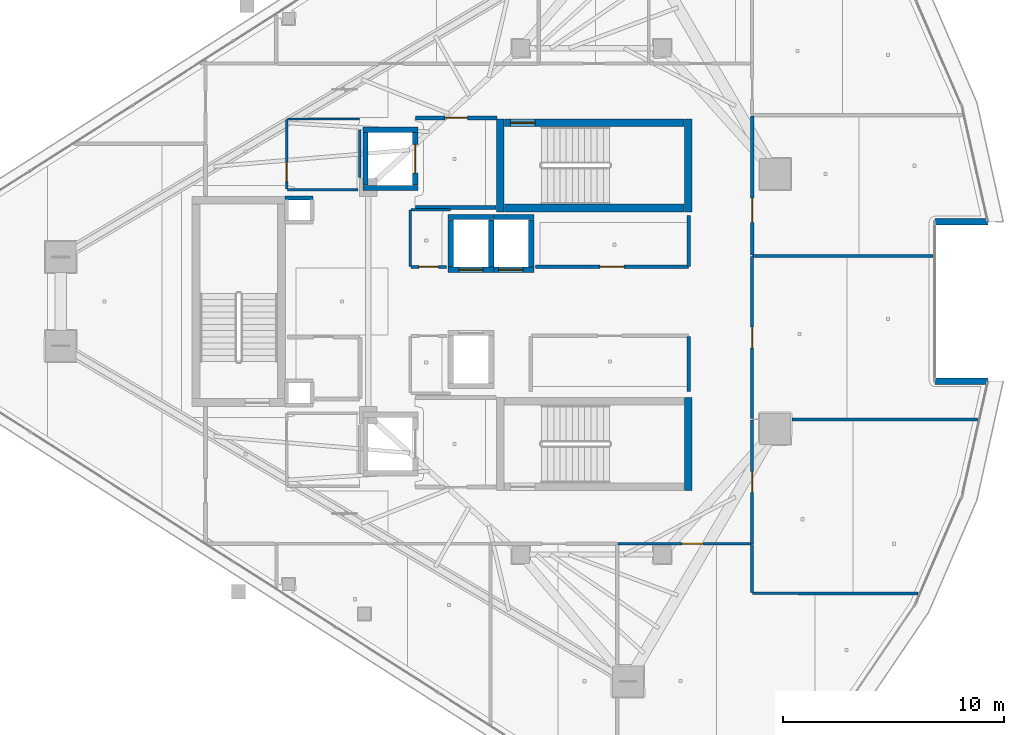
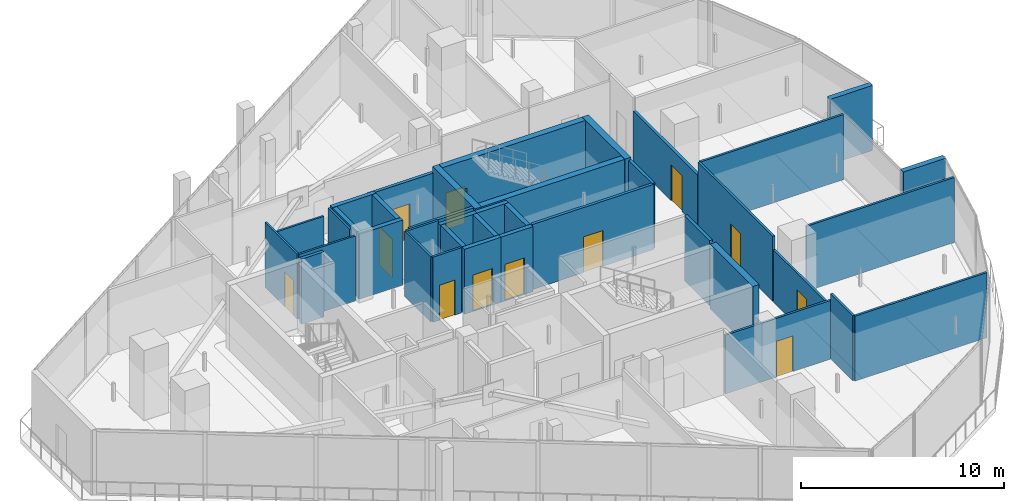
# One storey, part 22 of 30: 39 walls, 12 doors, 12 openings.
"""IFC4 building model written with IfcOpenShell, lengths in metres."""

from ifc_helpers import new_model, si_unit, direction, frame, frame_2d, origin, place, context, subcontext, project, spatial, rectangle, extrude, material, layer, layer_set, type_object, element, fill, save


model = new_model("IFC4")

# Units and contexts
model_context = context("Model", 3, precision=1e-05, world=origin(), true_north=direction((0.0, 1.0)))
body_context = subcontext(model_context, "Body", "Model", "MODEL_VIEW")
ifc_project = project(units=[si_unit("LENGTHUNIT", "METRE"), si_unit("AREAUNIT", "SQUARE_METRE"), si_unit("VOLUMEUNIT", "CUBIC_METRE"), si_unit("PLANEANGLEUNIT", "RADIAN"), si_unit("MASSUNIT", "GRAM", prefix="KILO")], contexts=[model_context])

# Site, building, storey
site_placement = place(None, origin())
site = spatial("IfcSite", under=ifc_project, at=site_placement, CompositionType="ELEMENT")
building_placement = place(site_placement, origin())
building = spatial("IfcBuilding", under=site, at=building_placement, Name="Qorvath Tower", CompositionType="ELEMENT")
storey_placement = place(building_placement, frame((0.0, 0.0, 289.199951171875)))
storey = spatial("IfcBuildingStorey", under=building, at=storey_placement, Name="L67", CompositionType="ELEMENT", Elevation=289.199951171875)

# Walls
ifc_material_1 = material(Name="Gypsum shaftliner on steel studs", Category="steel")
ifc_layer_1 = layer(ifc_material_1, 0.179931640625)
ifc_layer_set_1 = layer_set([ifc_layer_1], Name="FW-LOBBY")
wall_type_1 = type_object("IfcWallType", Name="FW-LOBBY", PredefinedType="PARTITIONING", material=ifc_layer_set_1)
wall_1_placement = place(storey_placement, frame((-34.260009765625, 4.675048828125, 0.0), z_axis=(0.0, 0.0, 1.0), x_axis=(1.0, 0.0, 0.0)))
element("IfcWall", 1, at=wall_1_placement, inside=storey, type_object=wall_type_1, Name="MEP Riser Shaft Enclosure Wall N-L67-N", PredefinedType="PARTITIONING", context=body_context, shape_type="SweptSolid", body=[
    extrude(rectangle(XDim=1.27001953125, YDim=0.179931640625, at=frame_2d((0.635009765625, 0.0))), origin(), (0.0, 0.0, 1.0), 3.91015625),
])
wall_2_placement = place(storey_placement, frame((-28.35498046875, 4.25, 0.0), z_axis=(0.0, 0.0, 1.0), x_axis=(1.0, 0.0, 0.0)))
element("IfcWall", 2, at=wall_2_placement, inside=storey, type_object=wall_type_1, Name="Interior Partition IW-T1-L67-001", PredefinedType="PARTITIONING", context=body_context, shape_type="SweptSolid", body=[
    extrude(rectangle(XDim=3.6220703125, YDim=0.179931640625, at=frame_2d((1.81103515625, 0.0))), origin(), (0.0, 0.0, 1.0), 3.91015625),
])

# Wall, opening, door
wall_3_placement = place(storey_placement, frame((-24.68408203125, 8.300048828125, 0.0), z_axis=(0.0, 0.0, 1.0), x_axis=(-1.0, 0.0, 0.0)))
wall_3 = element("IfcWall", 3, at=wall_3_placement, inside=storey, type_object=wall_type_1, Name="Interior Partition IW-T1-L67-002", PredefinedType="PARTITIONING", context=body_context, shape_type="SweptSolid", body=[
    extrude(rectangle(XDim=3.6708984375, YDim=0.179931640625, at=frame_2d((1.83544921875, 0.0))), origin(), (0.0, 0.0, 1.0), 3.529052734375),
])
opening_1_placement = place(wall_3_placement, frame((1.33544921875, 0.0, 0.0)))
opening_1 = element("IfcOpeningElement", 4, at=opening_1_placement, cuts=wall_3, Name="Opening D-T1-L67-20", PredefinedType="OPENING", context=body_context, shape_type="SweptSolid", body=[
    extrude(rectangle(XDim=1.0, YDim=2.14990234375, at=frame_2d((0.5, 1.074951171875))), frame((0.0, 0.10009765625, 0.0), z_axis=(0.0, -1.0, 0.0), x_axis=(1.0, 0.0, 0.0)), (0.0, 0.0, 1.0), 0.199951171875),
])
ifc_material_2 = material(Name="Painted galvanised hollow metal", Category="steel")
door_type_1 = type_object("IfcDoorType", Name="FD-60", OperationType="NOTDEFINED", PredefinedType="DOOR", material=ifc_material_2)
door_1_placement = place(opening_1_placement, origin())
door_1 = element("IfcDoor", 5, at=door_1_placement, inside=storey, type_object=door_type_1, Name="Lobby Fire Service Elevator North Door D-T1-L67-20", OperationType="SINGLE_SWING_RIGHT", OverallHeight=2.14990234375, OverallWidth=1.0, PredefinedType="DOOR", context=body_context, shape_type="SweptSolid", body=[
    extrude(rectangle(XDim=1.0, YDim=2.14990234375, at=frame_2d((0.5, 1.074951171875))), frame((0.0, 0.02490234375, 0.0), z_axis=(0.0, -1.0, 0.0), x_axis=(1.0, 0.0, 0.0)), (0.0, 0.0, 1.0), 0.050048828125),
])
fill(opening_1, door_1)

ifc_material_3 = material(Name="Double acoustic gypsum board on steel studs", Category="steel")
ifc_layer_2 = layer(ifc_material_3, 0.159912109375)
ifc_layer_set_2 = layer_set([ifc_layer_2], Name="IW-ACOUSTIC-160")
wall_type_2 = type_object("IfcWallType", Name="IW-ACOUSTIC-160", PredefinedType="PARTITIONING", material=ifc_layer_set_2)
wall_4_placement = place(storey_placement, frame((-22.933837890625, 1.56005859375, 0.0), z_axis=(0.0, 0.0, 1.0), x_axis=(1.0, 0.0, 0.0)))
wall_4 = element("IfcWall", 6, at=wall_4_placement, inside=storey, type_object=wall_type_2, Name="Interior Partition IW-T1-L67-013", PredefinedType="PARTITIONING", context=body_context, shape_type="SweptSolid", body=[
    extrude(rectangle(XDim=6.908935546875, YDim=0.159912109375, at=frame_2d((3.45458984375, 0.0))), origin(), (0.0, 0.0, 1.0), 3.91015625),
])
opening_2_placement = place(wall_4_placement, frame((2.904541015625, 0.0, 0.0)))
opening_2 = element("IfcOpeningElement", 7, at=opening_2_placement, cuts=wall_4, Name="Opening D-T1-L67-03", PredefinedType="OPENING", context=body_context, shape_type="SweptSolid", body=[
    extrude(rectangle(XDim=1.10009765625, YDim=2.14990234375, at=frame_2d((0.550048828125, 1.074951171875))), frame((0.0, 0.08984375, 0.0), z_axis=(0.0, -1.0, 0.0), x_axis=(1.0, 0.0, 0.0)), (0.0, 0.0, 1.0), 0.179931640625),
])
ifc_material_4 = material(Name="Anodised aluminium acoustic framed glass", Category="aluminium")
door_type_2 = type_object("IfcDoorType", Name="D-03", OperationType="NOTDEFINED", PredefinedType="DOOR", material=ifc_material_4)
door_2_placement = place(opening_2_placement, origin())
door_2 = element("IfcDoor", 8, at=door_2_placement, inside=storey, type_object=door_type_2, Name="L67-RCN North Executive Support Office Door D-T1-L67-03", OperationType="SINGLE_SWING_LEFT", OverallHeight=2.14990234375, OverallWidth=1.10009765625, PredefinedType="DOOR", context=body_context, shape_type="SweptSolid", body=[
    extrude(rectangle(XDim=1.10009765625, YDim=2.14990234375, at=frame_2d((0.550048828125, 1.074951171875))), frame((0.0, 0.02490234375, 0.0), z_axis=(0.0, -1.0, 0.0), x_axis=(1.0, 0.0, 0.0)), (0.0, 0.0, 1.0), 0.050048828125),
])
fill(opening_2, door_2)

# Walls
wall_5_placement = place(storey_placement, frame((-16.0, 1.585205078125, 0.0), z_axis=(0.0, 0.0, 1.0), x_axis=(0.0, 1.0, 0.0)))
element("IfcWall", 9, at=wall_5_placement, inside=storey, type_object=wall_type_2, Name="Interior Partition IW-T1-L67-014", PredefinedType="PARTITIONING", context=body_context, shape_type="SweptSolid", body=[
    extrude(rectangle(XDim=2.30224609375, YDim=0.159912109375, at=frame_2d((1.151123046875, 0.0))), origin(), (0.0, 0.0, 1.0), 3.91015625),
])
wall_6_placement = place(storey_placement, frame((-16.0, -4.0751953125, 0.0), z_axis=(0.0, 0.0, 1.0), x_axis=(0.0, 1.0, 0.0)))
element("IfcWall", 10, at=wall_6_placement, inside=storey, type_object=wall_type_2, Name="Interior Partition IW-T1-L67-016", PredefinedType="PARTITIONING", context=body_context, shape_type="SweptSolid", body=[
    extrude(rectangle(XDim=2.489990234375, YDim=0.159912109375, at=frame_2d((1.2451171875, 0.0))), origin(), (0.0, 0.0, 1.0), 3.91015625),
])

# Wall, opening, door
wall_7_placement = place(storey_placement, frame((-13.14208984375, 8.39306640625, 0.0), z_axis=(0.0, 0.0, 1.0), x_axis=(0.0, -1.0, 0.0)))
wall_7 = element("IfcWall", 11, at=wall_7_placement, inside=storey, type_object=wall_type_2, Name="Interior Partition IW-T1-L67-049", PredefinedType="PARTITIONING", context=body_context, shape_type="SweptSolid", body=[
    extrude(rectangle(XDim=6.303955078125, YDim=0.159912109375, at=frame_2d((3.15185546875, 0.0))), origin(), (0.0, 0.0, 1.0), 3.130126953125),
])
opening_3_placement = place(wall_7_placement, frame((3.717041015625, 0.0, 0.0)))
opening_3 = element("IfcOpeningElement", 12, at=opening_3_placement, cuts=wall_7, Name="Opening D-T1-L67-16", PredefinedType="OPENING", context=body_context, shape_type="SweptSolid", body=[
    extrude(rectangle(XDim=1.10009765625, YDim=2.14990234375, at=frame_2d((0.550048828125, 1.074951171875))), frame((0.0, 0.08984375, 0.0), z_axis=(0.0, -1.0, 0.0), x_axis=(1.0, 0.0, 0.0)), (0.0, 0.0, 1.0), 0.179931640625),
])
door_3_placement = place(opening_3_placement, origin())
door_3 = element("IfcDoor", 13, at=door_3_placement, inside=storey, type_object=door_type_2, Name="L67-09 Enclosed Conference Suite Door D-T1-L67-16", OperationType="SINGLE_SWING_RIGHT", OverallHeight=2.14990234375, OverallWidth=1.10009765625, PredefinedType="DOOR", context=body_context, shape_type="SweptSolid", body=[
    extrude(rectangle(XDim=1.10009765625, YDim=2.14990234375, at=frame_2d((0.550048828125, 1.074951171875))), frame((0.0, 0.02490234375, 0.0), z_axis=(0.0, -1.0, 0.0), x_axis=(1.0, 0.0, 0.0)), (0.0, 0.0, 1.0), 0.050048828125),
])
fill(opening_3, door_3)

# Wall
ifc_material_5 = material(Name="Gypsum board on metal studs with mineral wool", Category="gypsum")
ifc_layer_3 = layer(ifc_material_5, 0.125)
ifc_layer_set_3 = layer_set([ifc_layer_3], Name="IW-PART-125")
wall_type_3 = type_object("IfcWallType", Name="IW-PART-125", PredefinedType="PARTITIONING", material=ifc_layer_set_3)
wall_8_placement = place(storey_placement, frame((-28.60009765625, 4.125, 0.0), z_axis=(0.0, 0.0, 1.0), x_axis=(0.0, -1.0, 0.0)))
element("IfcWall", 14, at=wall_8_placement, inside=storey, type_object=wall_type_3, Name="Interior Partition IW-T1-L67-018", PredefinedType="PARTITIONING", context=body_context, shape_type="SweptSolid", body=[
    extrude(rectangle(XDim=2.539794921875, YDim=0.125, at=frame_2d((1.27001953125, 0.0))), origin(), (0.0, 0.0, 1.0), 3.91015625),
])

# Wall, opening, door
wall_9_placement = place(storey_placement, frame((-28.5751953125, 1.56005859375, 0.0), z_axis=(0.0, 0.0, 1.0), x_axis=(1.0, 0.0, 0.0)))
wall_9 = element("IfcWall", 15, at=wall_9_placement, inside=storey, type_object=wall_type_3, Name="Interior Partition IW-T1-L67-019", PredefinedType="PARTITIONING", context=body_context, shape_type="SweptSolid", body=[
    extrude(rectangle(XDim=1.609130859375, YDim=0.125, at=frame_2d((0.8046875, 0.0))), origin(), (0.0, 0.0, 1.0), 3.91015625),
])
opening_4_placement = place(wall_9_placement, frame((0.364501953125, 0.0, 0.0)))
opening_4 = element("IfcOpeningElement", 16, at=opening_4_placement, cuts=wall_9, Name="Opening D-T1-L67-05", PredefinedType="OPENING", context=body_context, shape_type="SweptSolid", body=[
    extrude(rectangle(XDim=0.8798828125, YDim=2.10009765625, at=frame_2d((0.43994140625, 1.050048828125))), frame((0.0, 0.072509765625, 0.0), z_axis=(0.0, -1.0, 0.0), x_axis=(1.0, 0.0, 0.0)), (0.0, 0.0, 1.0), 0.14501953125),
])
ifc_material_6 = material(Name="Solid-core oak with acoustic drop seal", Category="wood")
door_type_3 = type_object("IfcDoorType", Name="D-02", OperationType="NOTDEFINED", PredefinedType="DOOR", material=ifc_material_6)
door_4_placement = place(opening_4_placement, origin())
door_4 = element("IfcDoor", 17, at=door_4_placement, inside=storey, type_object=door_type_3, Name="L67-RCWN Executive Archive Suite Door D-T1-L67-05", OperationType="SINGLE_SWING_LEFT", OverallHeight=2.10009765625, OverallWidth=0.8798828125, PredefinedType="DOOR", context=body_context, shape_type="SweptSolid", body=[
    extrude(rectangle(XDim=0.8798828125, YDim=2.10009765625, at=frame_2d((0.43994140625, 1.050048828125))), frame((0.0, 0.02490234375, 0.0), z_axis=(0.0, -1.0, 0.0), x_axis=(1.0, 0.0, 0.0)), (0.0, 0.0, 1.0), 0.050048828125),
])
fill(opening_4, door_4)

# Walls
wall_10_placement = place(storey_placement, frame((-26.77490234375, 4.14990234375, 0.0), z_axis=(0.0, 0.0, 1.0), x_axis=(-1.0, 0.0, 0.0)))
element("IfcWall", 18, at=wall_10_placement, inside=storey, type_object=wall_type_3, Name="Interior Partition IW-T1-L67-020", PredefinedType="PARTITIONING", context=body_context, shape_type="SweptSolid", body=[
    extrude(rectangle(XDim=1.80029296875, YDim=0.125, at=frame_2d((0.900146484375, 0.0))), origin(), (0.0, 0.0, 1.0), 3.91015625),
])
wall_11_placement = place(storey_placement, frame((-5.635498046875, -13.2099609375, 0.0), z_axis=(0.0, 0.0, 1.0), x_axis=(-0.999998507566, 0.001727676139, 0.0)))
element("IfcWall", 19, at=wall_11_placement, inside=storey, type_object=wall_type_3, Name="Interior Partition IW-T1-L67-041", PredefinedType="PARTITIONING", context=body_context, shape_type="SweptSolid", body=[
    extrude(rectangle(XDim=7.489501953125, YDim=0.125, at=frame_2d((3.74462890625, 0.0))), origin(), (0.0, 0.0, 1.0), 3.91015625),
])
wall_12_placement = place(storey_placement, frame((-13.14990234375, -13.172119140625, 0.0), z_axis=(0.0, 0.0, 1.0), x_axis=(0.0, 1.0, 0.0)))
element("IfcWall", 20, at=wall_12_placement, inside=storey, type_object=wall_type_3, Name="Interior Partition IW-T1-L67-042", PredefinedType="PARTITIONING", context=body_context, shape_type="SweptSolid", body=[
    extrude(rectangle(XDim=2.189208984375, YDim=0.125, at=frame_2d((1.0947265625, 0.0))), origin(), (0.0, 0.0, 1.0), 3.91015625),
])

# Wall, opening, door
wall_13_placement = place(storey_placement, frame((-13.1748046875, -10.9580078125, 0.0), z_axis=(0.0, 0.0, 1.0), x_axis=(-1.0, 0.0, 0.0)))
wall_13 = element("IfcWall", 21, at=wall_13_placement, inside=storey, type_object=wall_type_3, Name="Interior Partition IW-T1-L67-043", PredefinedType="PARTITIONING", context=body_context, shape_type="SweptSolid", body=[
    extrude(rectangle(XDim=6.02490234375, YDim=0.125, at=frame_2d((3.012451171875, 0.0))), origin(), (0.0, 0.0, 1.0), 3.529052734375),
])
opening_5_placement = place(wall_13_placement, frame((2.175048828125, 0.0, 0.0)))
opening_5 = element("IfcOpeningElement", 22, at=opening_5_placement, cuts=wall_13, Name="Opening D-T1-L67-13", PredefinedType="OPENING", context=body_context, shape_type="SweptSolid", body=[
    extrude(rectangle(XDim=0.949951171875, YDim=2.14990234375, at=frame_2d((0.47509765625, 1.074951171875))), frame((0.0, 0.072509765625, 0.0), z_axis=(0.0, -1.0, 0.0), x_axis=(1.0, 0.0, 0.0)), (0.0, 0.0, 1.0), 0.14501953125),
])
ifc_material_7 = material(Name="Solid-core American white oak veneer", Category="wood")
door_type_4 = type_object("IfcDoorType", Name="D-01", OperationType="NOTDEFINED", PredefinedType="DOOR", material=ifc_material_7)
door_5_placement = place(opening_5_placement, origin())
door_5 = element("IfcDoor", 23, at=door_5_placement, inside=storey, type_object=door_type_4, Name="L67-06 Quantitative Research Studio Door D-T1-L67-13", OperationType="SINGLE_SWING_LEFT", OverallHeight=2.14990234375, OverallWidth=0.949951171875, PredefinedType="DOOR", context=body_context, shape_type="SweptSolid", body=[
    extrude(rectangle(XDim=0.949951171875, YDim=2.14990234375, at=frame_2d((0.47509765625, 1.074951171875))), frame((0.0, 0.02490234375, 0.0), z_axis=(0.0, -1.0, 0.0), x_axis=(1.0, 0.0, 0.0)), (0.0, 0.0, 1.0), 0.050048828125),
])
fill(opening_5, door_5)

# Wall
wall_14_placement = place(storey_placement, frame((-2.947021484375, -5.333984375, 0.0), z_axis=(0.0, 0.0, 1.0), x_axis=(-1.0, 0.0, 0.0)))
element("IfcWall", 24, at=wall_14_placement, inside=storey, type_object=wall_type_3, Name="Interior Partition IW-T1-L67-044", PredefinedType="PARTITIONING", context=body_context, shape_type="SweptSolid", body=[
    extrude(rectangle(XDim=8.384765625, YDim=0.125, at=frame_2d((4.1923828125, 0.0))), origin(), (0.0, 0.0, 1.0), 3.91015625),
])

# Wall, opening, door
wall_15_placement = place(storey_placement, frame((-13.14208984375, -5.35888671875, 0.0), z_axis=(0.0, 0.0, 1.0), x_axis=(0.0, -1.0, 0.0)))
wall_15 = element("IfcWall", 25, at=wall_15_placement, inside=storey, type_object=wall_type_3, Name="Interior Partition IW-T1-L67-045", PredefinedType="PARTITIONING", context=body_context, shape_type="SweptSolid", body=[
    extrude(rectangle(XDim=5.59912109375, YDim=0.125, at=frame_2d((2.799560546875, 0.0))), origin(), (0.0, 0.0, 1.0), 3.130126953125),
])
opening_6_placement = place(wall_15_placement, frame((2.324462890625, 0.0, 0.0)))
opening_6 = element("IfcOpeningElement", 26, at=opening_6_placement, cuts=wall_15, Name="Opening D-T1-L67-14", PredefinedType="OPENING", context=body_context, shape_type="SweptSolid", body=[
    extrude(rectangle(XDim=0.949951171875, YDim=2.14990234375, at=frame_2d((0.47509765625, 1.074951171875))), frame((0.0, 0.072509765625, 0.0), z_axis=(0.0, -1.0, 0.0), x_axis=(1.0, 0.0, 0.0)), (0.0, 0.0, 1.0), 0.14501953125),
])
door_6_placement = place(opening_6_placement, origin())
door_6 = element("IfcDoor", 27, at=door_6_placement, inside=storey, type_object=door_type_4, Name="L67-07 Engineering Documentation Suite Door D-T1-L67-14", OperationType="SINGLE_SWING_RIGHT", OverallHeight=2.14990234375, OverallWidth=0.949951171875, PredefinedType="DOOR", context=body_context, shape_type="SweptSolid", body=[
    extrude(rectangle(XDim=0.949951171875, YDim=2.14990234375, at=frame_2d((0.47509765625, 1.074951171875))), frame((0.0, 0.02490234375, 0.0), z_axis=(0.0, -1.0, 0.0), x_axis=(1.0, 0.0, 0.0)), (0.0, 0.0, 1.0), 0.050048828125),
])
fill(opening_6, door_6)

# Wall
wall_16_placement = place(storey_placement, frame((-4.958984375, 2.055908203125, 0.0), z_axis=(0.0, 0.0, 1.0), x_axis=(-1.0, 0.0, 0.0)))
element("IfcWall", 28, at=wall_16_placement, inside=storey, type_object=wall_type_3, Name="Interior Partition IW-T1-L67-046", PredefinedType="PARTITIONING", context=body_context, shape_type="SweptSolid", body=[
    extrude(rectangle(XDim=8.158203125, YDim=0.125, at=frame_2d((4.0791015625, 0.0))), origin(), (0.0, 0.0, 1.0), 3.91015625),
])

# Wall, opening, door
wall_17_placement = place(storey_placement, frame((-13.14208984375, 2.031005859375, 0.0), z_axis=(0.0, 0.0, 1.0), x_axis=(0.0, -1.0, 0.0)))
wall_17 = element("IfcWall", 29, at=wall_17_placement, inside=storey, type_object=wall_type_3, Name="Interior Partition IW-T1-L67-047", PredefinedType="PARTITIONING", context=body_context, shape_type="SweptSolid", body=[
    extrude(rectangle(XDim=7.332275390625, YDim=0.125, at=frame_2d((3.666015625, 0.0))), origin(), (0.0, 0.0, 1.0), 3.91015625),
])
opening_7_placement = place(wall_17_placement, frame((3.191162109375, 0.0, 0.0)))
opening_7 = element("IfcOpeningElement", 30, at=opening_7_placement, cuts=wall_17, Name="Opening D-T1-L67-15", PredefinedType="OPENING", context=body_context, shape_type="SweptSolid", body=[
    extrude(rectangle(XDim=0.949951171875, YDim=2.14990234375, at=frame_2d((0.47509765625, 1.074951171875))), frame((0.0, 0.072509765625, 0.0), z_axis=(0.0, -1.0, 0.0), x_axis=(1.0, 0.0, 0.0)), (0.0, 0.0, 1.0), 0.14501953125),
])
door_7_placement = place(opening_7_placement, origin())
door_7 = element("IfcDoor", 31, at=door_7_placement, inside=storey, type_object=door_type_4, Name="L67-08 Open Workplace Studio Door D-T1-L67-15", OperationType="SINGLE_SWING_LEFT", OverallHeight=2.14990234375, OverallWidth=0.949951171875, PredefinedType="DOOR", context=body_context, shape_type="SweptSolid", body=[
    extrude(rectangle(XDim=0.949951171875, YDim=2.14990234375, at=frame_2d((0.47509765625, 1.074951171875))), frame((0.0, 0.02490234375, 0.0), z_axis=(0.0, -1.0, 0.0), x_axis=(1.0, 0.0, 0.0)), (0.0, 0.0, 1.0), 0.050048828125),
])
fill(opening_7, door_7)

ifc_material_8 = material(Name="Moisture-resistant cement board on metal studs", Category="gypsum")
ifc_layer_4 = layer(ifc_material_8, 0.110107421875)
ifc_layer_set_4 = layer_set([ifc_layer_4], Name="IW-WC-110")
wall_type_4 = type_object("IfcWallType", Name="IW-WC-110", PredefinedType="PARTITIONING", material=ifc_layer_set_4)
wall_18_placement = place(storey_placement, frame((-34.179931640625, 8.22509765625, 0.0), z_axis=(0.0, 0.0, 1.0), x_axis=(0.0, -1.0, 0.0)))
wall_18 = element("IfcWall", 32, at=wall_18_placement, inside=storey, type_object=wall_type_4, Name="Interior Partition IW-T1-L67-005", PredefinedType="PARTITIONING", context=body_context, shape_type="SweptSolid", body=[
    extrude(rectangle(XDim=3.150146484375, YDim=0.110107421875, at=frame_2d((1.5751953125, 0.0))), origin(), (0.0, 0.0, 1.0), 3.91015625),
])
opening_8_placement = place(wall_18_placement, frame((1.93017578125, 0.0, 0.0)))
opening_8 = element("IfcOpeningElement", 33, at=opening_8_placement, cuts=wall_18, Name="Opening D-T1-L67-01", PredefinedType="OPENING", context=body_context, shape_type="SweptSolid", body=[
    extrude(rectangle(XDim=0.8798828125, YDim=2.10009765625, at=frame_2d((0.43994140625, 1.050048828125))), frame((0.0, 0.06494140625, 0.0), z_axis=(0.0, -1.0, 0.0), x_axis=(1.0, 0.0, 0.0)), (0.0, 0.0, 1.0), 0.130126953125),
])
door_8_placement = place(opening_8_placement, origin())
door_8 = element("IfcDoor", 34, at=door_8_placement, inside=storey, type_object=door_type_3, Name="Accessible WC North L67 Door D-T1-L67-01", OperationType="SINGLE_SWING_LEFT", OverallHeight=2.10009765625, OverallWidth=0.8798828125, PredefinedType="DOOR", context=body_context, shape_type="SweptSolid", body=[
    extrude(rectangle(XDim=0.8798828125, YDim=2.10009765625, at=frame_2d((0.43994140625, 1.050048828125))), frame((0.0, 0.02490234375, 0.0), z_axis=(0.0, -1.0, 0.0), x_axis=(1.0, 0.0, 0.0)), (0.0, 0.0, 1.0), 0.050048828125),
])
fill(opening_8, door_8)

# Walls
wall_19_placement = place(storey_placement, frame((-34.15478515625, 5.050048828125, 0.0), z_axis=(0.0, 0.0, 1.0), x_axis=(1.0, 0.0, 0.0)))
element("IfcWall", 35, at=wall_19_placement, inside=storey, type_object=wall_type_4, Name="Interior Partition IW-T1-L67-006", PredefinedType="PARTITIONING", context=body_context, shape_type="SweptSolid", body=[
    extrude(rectangle(XDim=3.189697265625, YDim=0.110107421875, at=frame_2d((1.5947265625, 0.0))), origin(), (0.0, 0.0, 1.0), 3.91015625),
])
wall_20_placement = place(storey_placement, frame((-30.8798828125, 5.614990234375, 0.0), z_axis=(0.0, 0.0, 1.0), x_axis=(0.0, 1.0, 0.0)))
element("IfcWall", 36, at=wall_20_placement, inside=storey, type_object=wall_type_4, Name="Interior Partition IW-T1-L67-007", PredefinedType="PARTITIONING", context=body_context, shape_type="SweptSolid", body=[
    extrude(rectangle(XDim=2.1279296875, YDim=0.110107421875, at=frame_2d((1.06396484375, 0.0))), origin(), (0.0, 0.0, 1.0), 3.91015625),
])
wall_21_placement = place(storey_placement, frame((-30.90478515625, 8.25, 0.0), z_axis=(0.0, 0.0, 1.0), x_axis=(-1.0, 0.0, 0.0)))
element("IfcWall", 37, at=wall_21_placement, inside=storey, type_object=wall_type_4, Name="Interior Partition IW-T1-L67-008", PredefinedType="PARTITIONING", context=body_context, shape_type="SweptSolid", body=[
    extrude(rectangle(XDim=3.25, YDim=0.110107421875, at=frame_2d((1.625, 0.0))), origin(), (0.0, 0.0, 1.0), 3.130126953125),
])
ifc_material_9 = material(Name="Concrete C60/75", Category="concrete")
ifc_layer_5 = layer(ifc_material_9, 0.260009765625)
ifc_layer_set_5 = layer_set([ifc_layer_5], Name="SW-SHAFT")
wall_type_5 = type_object("IfcWallType", Name="SW-SHAFT", PredefinedType="SHEAR", material=ifc_layer_set_5)
for number, where, z_axis, x_axis, name in (
    (38, (-28.260009765625, 5.1298828125, 0.0), (0.0, 0.0, 1.0), (-1.0, 0.0, 0.0), "Hoistway Wall FSAE-1 L67 S"),
    (39, (-30.739990234375, 7.77001953125, 0.0), (0.0, 0.0, 1.0), (1.0, 0.0, 0.0), "Hoistway Wall FSAE-1 L67 N"),
):
    element("IfcWall", number, at=place(storey_placement, frame(where, z_axis=z_axis, x_axis=x_axis)), inside=storey, type_object=wall_type_5, Name=name, PredefinedType="SHEAR", context=body_context, shape_type="SweptSolid", body=[
        extrude(rectangle(XDim=2.47998046875, YDim=0.239990234375, at=frame_2d((1.239990234375, 0.0))), origin(), (0.0, 0.0, 1.0), 3.91015625),
    ])
wall_22_placement = place(storey_placement, frame((-30.6201171875, 5.261962890625, 0.0), z_axis=(0.0, 0.0, 1.0), x_axis=(0.0, 1.0, 0.0)))
element("IfcWall", 40, at=wall_22_placement, inside=storey, type_object=wall_type_5, Name="Hoistway Wall FSAE-1 L67 W", PredefinedType="SHEAR", context=body_context, shape_type="SweptSolid", body=[
    extrude(rectangle(XDim=2.3759765625, YDim=0.239990234375, at=frame_2d((1.18798828125, 0.0))), origin(), (0.0, 0.0, 1.0), 3.91015625),
])

# Wall, opening, door
wall_23_placement = place(storey_placement, frame((-28.3798828125, 7.637939453125, 0.0), z_axis=(0.0, 0.0, 1.0), x_axis=(0.0, -1.0, 0.0)))
wall_23 = element("IfcWall", 41, at=wall_23_placement, inside=storey, type_object=wall_type_5, Name="Hoistway Wall FSAE-1 L67 E", PredefinedType="SHEAR", context=body_context, shape_type="SweptSolid", body=[
    extrude(rectangle(XDim=2.3759765625, YDim=0.239990234375, at=frame_2d((1.18798828125, 0.0))), origin(), (0.0, 0.0, 1.0), 3.91015625),
])
opening_9_placement = place(wall_23_placement, frame((0.537841796875, 0.0, 0.0)))
opening_9 = element("IfcOpeningElement", 42, at=opening_9_placement, cuts=wall_23, Name="Opening LD-FSAE-1-L67", PredefinedType="OPENING", context=body_context, shape_type="SweptSolid", body=[
    extrude(rectangle(XDim=1.300048828125, YDim=2.300048828125, at=frame_2d((0.64990234375, 1.14990234375))), frame((0.0, 0.1298828125, 0.0), z_axis=(0.0, -1.0, 0.0), x_axis=(1.0, 0.0, 0.0)), (0.0, 0.0, 1.0), 0.260009765625),
])
ifc_material_10 = material(Name="Brushed stainless steel AISI 316", Category="steel")
door_type_5 = type_object("IfcDoorType", Name="LD-02", OperationType="NOTDEFINED", PredefinedType="DOOR", material=ifc_material_10)
door_9_placement = place(opening_9_placement, origin())
door_9 = element("IfcDoor", 43, at=door_9_placement, inside=storey, type_object=door_type_5, Name="Elevator Landing Sliding Door LD-FSAE-1-L67", OperationType="DOUBLE_DOOR_SLIDING", OverallHeight=2.300048828125, OverallWidth=1.300048828125, PredefinedType="DOOR", context=body_context, shape_type="SweptSolid", body=[
    extrude(rectangle(XDim=1.300048828125, YDim=2.300048828125, at=frame_2d((0.64990234375, 1.14990234375))), frame((0.0, 0.02490234375, 0.0), z_axis=(0.0, -1.0, 0.0), x_axis=(1.0, 0.0, 0.0)), (0.0, 0.0, 1.0), 0.050048828125),
])
fill(opening_9, door_9)

wall_24_placement = place(storey_placement, frame((-24.81005859375, 1.429931640625, 0.0), z_axis=(0.0, 0.0, 1.0), x_axis=(-1.0, 0.0, 0.0)))
wall_24 = element("IfcWall", 44, at=wall_24_placement, inside=storey, type_object=wall_type_5, Name="Hoistway Wall PH-1 L67 S", PredefinedType="SHEAR", context=body_context, shape_type="SweptSolid", body=[
    extrude(rectangle(XDim=2.079833984375, YDim=0.239990234375, at=frame_2d((1.0400390625, 0.0))), origin(), (0.0, 0.0, 1.0), 3.91015625),
])
opening_10_placement = place(wall_24_placement, frame((0.489990234375, 0.0, 0.0)))
opening_10 = element("IfcOpeningElement", 45, at=opening_10_placement, cuts=wall_24, Name="Opening LD-PH-1-L67", PredefinedType="OPENING", context=body_context, shape_type="SweptSolid", body=[
    extrude(rectangle(XDim=1.10009765625, YDim=2.199951171875, at=frame_2d((0.550048828125, 1.10009765625))), frame((0.0, 0.1298828125, 0.0), z_axis=(0.0, -1.0, 0.0), x_axis=(1.0, 0.0, 0.0)), (0.0, 0.0, 1.0), 0.260009765625),
])
ifc_material_11 = material(Name="Brushed stainless steel AISI 316", Category="steel")
door_type_6 = type_object("IfcDoorType", Name="LD-01", OperationType="NOTDEFINED", PredefinedType="DOOR", material=ifc_material_11)
door_10_placement = place(opening_10_placement, origin())
door_10 = element("IfcDoor", 46, at=door_10_placement, inside=storey, type_object=door_type_6, Name="Elevator Landing Sliding Door LD-PH-1-L67", OperationType="DOUBLE_DOOR_SLIDING", OverallHeight=2.199951171875, OverallWidth=1.10009765625, PredefinedType="DOOR", context=body_context, shape_type="SweptSolid", body=[
    extrude(rectangle(XDim=1.10009765625, YDim=2.199951171875, at=frame_2d((0.550048828125, 1.10009765625))), frame((0.0, 0.02490234375, 0.0), z_axis=(0.0, -1.0, 0.0), x_axis=(1.0, 0.0, 0.0)), (0.0, 0.0, 1.0), 0.050048828125),
])
fill(opening_10, door_10)

# Walls
wall_25_placement = place(storey_placement, frame((-26.889892578125, 3.820068359375, 0.0), z_axis=(0.0, 0.0, 1.0), x_axis=(1.0, 0.0, 0.0)))
element("IfcWall", 47, at=wall_25_placement, inside=storey, type_object=wall_type_5, Name="Hoistway Wall PH-1 L67 N", PredefinedType="SHEAR", context=body_context, shape_type="SweptSolid", body=[
    extrude(rectangle(XDim=2.079833984375, YDim=0.239990234375, at=frame_2d((1.0400390625, 0.0))), origin(), (0.0, 0.0, 1.0), 3.91015625),
])
for number, where, z_axis, x_axis, name in (
    (48, (-26.77001953125, 1.56201171875, 0.0), (0.0, 0.0, 1.0), (0.0, 1.0, 0.0), "Hoistway Wall PH-1 L67 W"),
    (49, (-24.929931640625, 3.68798828125, 0.0), (0.0, 0.0, 1.0), (0.0, -1.0, 0.0), "Hoistway Wall PH-1 L67 E"),
):
    element("IfcWall", number, at=place(storey_placement, frame(where, z_axis=z_axis, x_axis=x_axis)), inside=storey, type_object=wall_type_5, Name=name, PredefinedType="SHEAR", context=body_context, shape_type="SweptSolid", body=[
        extrude(rectangle(XDim=2.1259765625, YDim=0.239990234375, at=frame_2d((1.06298828125, 0.0))), origin(), (0.0, 0.0, 1.0), 3.91015625),
    ])

# Wall, opening, door
wall_26_placement = place(storey_placement, frame((-23.010009765625, 1.429931640625, 0.0), z_axis=(0.0, 0.0, 1.0), x_axis=(-1.0, 0.0, 0.0)))
wall_26 = element("IfcWall", 50, at=wall_26_placement, inside=storey, type_object=wall_type_5, Name="Hoistway Wall PH-2 L67 S", PredefinedType="SHEAR", context=body_context, shape_type="SweptSolid", body=[
    extrude(rectangle(XDim=1.800048828125, YDim=0.239990234375, at=frame_2d((0.89990234375, 0.0))), origin(), (0.0, 0.0, 1.0), 3.91015625),
])
opening_11_placement = place(wall_26_placement, frame((0.489990234375, 0.0, 0.0)))
opening_11 = element("IfcOpeningElement", 51, at=opening_11_placement, cuts=wall_26, Name="Opening LD-PH-2-L67", PredefinedType="OPENING", context=body_context, shape_type="SweptSolid", body=[
    extrude(rectangle(XDim=1.10009765625, YDim=2.199951171875, at=frame_2d((0.550048828125, 1.10009765625))), frame((0.0, 0.1298828125, 0.0), z_axis=(0.0, -1.0, 0.0), x_axis=(1.0, 0.0, 0.0)), (0.0, 0.0, 1.0), 0.260009765625),
])
door_11_placement = place(opening_11_placement, origin())
door_11 = element("IfcDoor", 52, at=door_11_placement, inside=storey, type_object=door_type_6, Name="Elevator Landing Sliding Door LD-PH-2-L67", OperationType="DOUBLE_DOOR_SLIDING", OverallHeight=2.199951171875, OverallWidth=1.10009765625, PredefinedType="DOOR", context=body_context, shape_type="SweptSolid", body=[
    extrude(rectangle(XDim=1.10009765625, YDim=2.199951171875, at=frame_2d((0.550048828125, 1.10009765625))), frame((0.0, 0.02490234375, 0.0), z_axis=(0.0, -1.0, 0.0), x_axis=(1.0, 0.0, 0.0)), (0.0, 0.0, 1.0), 0.050048828125),
])
fill(opening_11, door_11)

# Walls
wall_27_placement = place(storey_placement, frame((-24.81005859375, 3.820068359375, 0.0), z_axis=(0.0, 0.0, 1.0), x_axis=(1.0, 0.0, 0.0)))
element("IfcWall", 53, at=wall_27_placement, inside=storey, type_object=wall_type_5, Name="Hoistway Wall PH-2 L67 N", PredefinedType="SHEAR", context=body_context, shape_type="SweptSolid", body=[
    extrude(rectangle(XDim=1.800048828125, YDim=0.239990234375, at=frame_2d((0.89990234375, 0.0))), origin(), (0.0, 0.0, 1.0), 3.91015625),
])
wall_28_placement = place(storey_placement, frame((-23.1298828125, 3.68798828125, 0.0), z_axis=(0.0, 0.0, 1.0), x_axis=(0.0, -1.0, 0.0)))
element("IfcWall", 54, at=wall_28_placement, inside=storey, type_object=wall_type_5, Name="Hoistway Wall PH-2 L67 E", PredefinedType="SHEAR", context=body_context, shape_type="SweptSolid", body=[
    extrude(rectangle(XDim=2.1259765625, YDim=0.239990234375, at=frame_2d((1.06298828125, 0.0))), origin(), (0.0, 0.0, 1.0), 3.91015625),
])
ifc_material_12 = material(Name="Concrete C60/75", Category="concrete")
ifc_layer_6 = layer(ifc_material_12, 0.35009765625)
ifc_layer_set_6 = layer_set([ifc_layer_6], Name="SW-STAIR")
wall_type_6 = type_object("IfcWallType", Name="SW-STAIR", PredefinedType="SHEAR", material=ifc_layer_set_6)
for number, where, z_axis, x_axis, name in (
    (55, (-24.52490234375, 8.260009765625, 0.0), (0.0, 0.0, 1.0), (0.0, -1.0, 0.0), "Stair TS1 Shear Wall L67 NEAR"),
    (56, (-16.02490234375, 4.050048828125, 0.0), (0.0, 0.0, 1.0), (0.0, 1.0, 0.0), "Stair TS1 Shear Wall L67 FAR"),
):
    element("IfcWall", number, at=place(storey_placement, frame(where, z_axis=z_axis, x_axis=x_axis)), inside=storey, type_object=wall_type_6, Name=name, PredefinedType="SHEAR", context=body_context, shape_type="SweptSolid", body=[
        extrude(rectangle(XDim=4.2099609375, YDim=0.35009765625, at=frame_2d((2.10498046875, 0.0))), origin(), (0.0, 0.0, 1.0), 3.91015625),
    ])
wall_29_placement = place(storey_placement, frame((-24.3349609375, 4.22509765625, 0.0), z_axis=(0.0, 0.0, 1.0), x_axis=(1.0, 0.0, 0.0)))
element("IfcWall", 57, at=wall_29_placement, inside=storey, type_object=wall_type_6, Name="Stair TS1 Shear Wall L67 LEFT", PredefinedType="SHEAR", context=body_context, shape_type="SweptSolid", body=[
    extrude(rectangle(XDim=8.119873046875, YDim=0.35009765625, at=frame_2d((4.06005859375, 0.0))), origin(), (0.0, 0.0, 1.0), 3.91015625),
])

# Wall, opening, door
wall_30_placement = place(storey_placement, frame((-16.215087890625, 8.0849609375, 0.0), z_axis=(0.0, 0.0, 1.0), x_axis=(-1.0, 0.0, 0.0)))
wall_30 = element("IfcWall", 58, at=wall_30_placement, inside=storey, type_object=wall_type_6, Name="Stair TS1 Shear Wall L67 RIGHT", PredefinedType="SHEAR", context=body_context, shape_type="SweptSolid", body=[
    extrude(rectangle(XDim=8.119873046875, YDim=0.35009765625, at=frame_2d((4.06005859375, 0.0))), origin(), (0.0, 0.0, 1.0), 3.91015625),
])
opening_12_placement = place(wall_30_placement, frame((6.739990234375, 0.0, 0.0)))
opening_12 = element("IfcOpeningElement", 59, at=opening_12_placement, cuts=wall_30, Name="Opening D-TS1-L67", PredefinedType="OPENING", context=body_context, shape_type="SweptSolid", body=[
    extrude(rectangle(XDim=1.10009765625, YDim=2.199951171875, at=frame_2d((0.550048828125, 1.10009765625))), frame((0.0, 0.18505859375, 0.0), z_axis=(0.0, -1.0, 0.0), x_axis=(1.0, 0.0, 0.0)), (0.0, 0.0, 1.0), 0.3701171875),
])
ifc_material_13 = material(Name="Painted galvanised hollow metal", Category="steel")
door_type_7 = type_object("IfcDoorType", Name="FD-90", OperationType="NOTDEFINED", PredefinedType="DOOR", material=ifc_material_13)
door_12_placement = place(opening_12_placement, origin())
door_12 = element("IfcDoor", 60, at=door_12_placement, inside=storey, type_object=door_type_7, Name="Stair TS1 Fire Door L67", OperationType="SINGLE_SWING_RIGHT", OverallHeight=2.199951171875, OverallWidth=1.10009765625, PredefinedType="DOOR", context=body_context, shape_type="SweptSolid", body=[
    extrude(rectangle(XDim=1.10009765625, YDim=2.199951171875, at=frame_2d((0.550048828125, 1.10009765625))), frame((0.0, 0.02490234375, 0.0), z_axis=(0.0, -1.0, 0.0), x_axis=(1.0, 0.0, 0.0)), (0.0, 0.0, 1.0), 0.050048828125),
])
fill(opening_12, door_12)

# Walls
wall_31_placement = place(storey_placement, frame((-16.02490234375, -8.550048828125, 0.0), z_axis=(0.0, 0.0, 1.0), x_axis=(0.0, 1.0, 0.0)))
element("IfcWall", 61, at=wall_31_placement, inside=storey, type_object=wall_type_6, Name="Stair TS2 Shear Wall L67 FAR", PredefinedType="SHEAR", context=body_context, shape_type="SweptSolid", body=[
    extrude(rectangle(XDim=4.2099609375, YDim=0.35009765625, at=frame_2d((2.10498046875, 0.0))), origin(), (0.0, 0.0, 1.0), 3.91015625),
])
ifc_material_14 = material(Name="Precast concrete C45/55", Category="concrete")
ifc_layer_7 = layer(ifc_material_14, 0.300048828125)
ifc_layer_set_7 = layer_set([ifc_layer_7], Name="WL-EW-LOG-300")
wall_type_7 = type_object("IfcWallType", Name="WL-EW-LOG-300", PredefinedType="SOLIDWALL", material=ifc_layer_set_7)
for number, where, z_axis, x_axis, name in (
    (62, (-2.477783203125, -3.601806640625, 0.0), (0.0, 0.0, 1.0), (-1.0, 0.0, 0.0), "Tower Precast Loggia Wall L67-8.1"),
    (63, (-4.879150390625, 3.601806640625, 0.0), (0.0, 0.0, 1.0), (1.0, 0.0, 0.0), "Tower Precast Loggia Wall L67-10.1"),
):
    element("IfcWall", number, at=place(storey_placement, frame(where, z_axis=z_axis, x_axis=x_axis)), inside=storey, type_object=wall_type_7, Name=name, PredefinedType="SOLIDWALL", context=body_context, shape_type="SweptSolid", body=[
        extrude(rectangle(XDim=2.4013671875, YDim=0.300048828125, at=frame_2d((1.20068359375, 0.0))), origin(), (0.0, 0.0, 1.0), 3.91015625),
    ])

save(model, "model.ifc")
